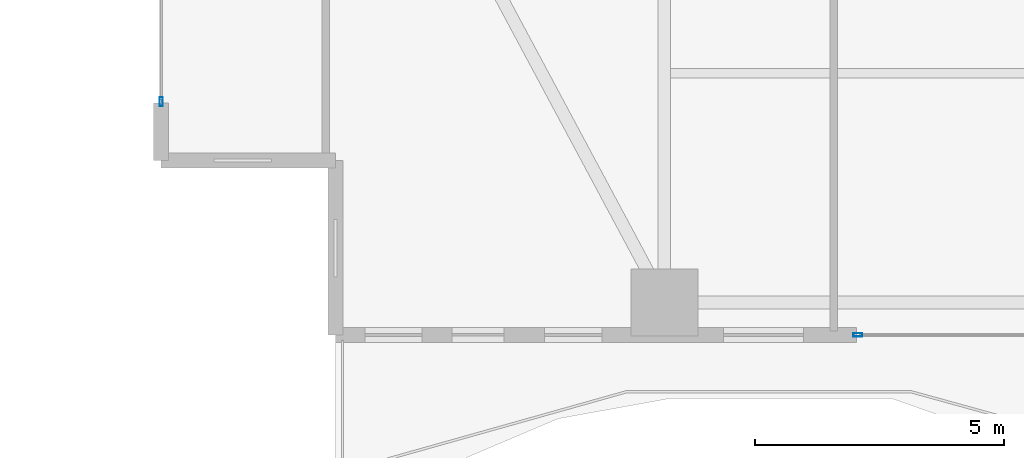
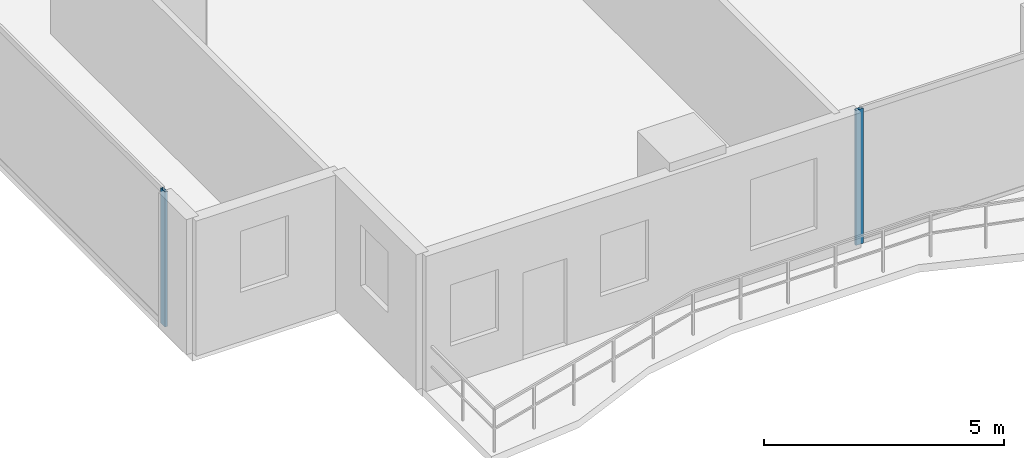
# One storey, part 2 of 30: 2 members, 2 elements without a shape of their own.
"""IFC4 building model written with IfcOpenShell, lengths in metres."""

from ifc_helpers import new_model, si_unit, direction, frame, origin, origin_2d, place, context, subcontext, project, spatial, hollow_rectangle, extrude, material, layer, layer_set, material_profile, profile_set, type_object, element, aggregate, save


model = new_model("IFC4")

# Units and contexts
model_context = context("Model", 3, precision=1e-05, world=origin(), true_north=direction((0.0, 1.0)))
body_context = subcontext(model_context, "Body", "Model", "MODEL_VIEW")
ifc_project = project(units=[si_unit("LENGTHUNIT", "METRE"), si_unit("AREAUNIT", "SQUARE_METRE"), si_unit("VOLUMEUNIT", "CUBIC_METRE"), si_unit("PLANEANGLEUNIT", "RADIAN"), si_unit("MASSUNIT", "GRAM", prefix="KILO")], contexts=[model_context])

# Site, building, storey
site_placement = place(None, origin())
site = spatial("IfcSite", under=ifc_project, at=site_placement, CompositionType="ELEMENT")
building_placement = place(site_placement, origin())
building = spatial("IfcBuilding", under=site, at=building_placement, Name="Zuhayl Quay Hotel", CompositionType="ELEMENT")
storey_placement = place(building_placement, frame((0.0, 0.0, 135.800048828125)))
storey = spatial("IfcBuildingStorey", under=building, at=storey_placement, Name="L34", CompositionType="ELEMENT", Elevation=135.800048828125)

# Curtain wall, member
ifc_material_1 = material(Name="Anodised Aluminium 6063-T6", Category="aluminium")
ifc_layer = layer(ifc_material_1, 0.179931640625, Name="Anodised Aluminium 6063-T6", Category="aluminium")
ifc_layer_set = layer_set([ifc_layer], Name="Anodised Aluminium 6063-T6")
curtain_wall_type = type_object("IfcCurtainWallType", Name="CW_SYS_Z2", PredefinedType="USERDEFINED", material=ifc_layer_set)
curtain_wall_1_placement = place(storey_placement, origin())
curtain_wall_1 = element("IfcCurtainWall", 1, at=curtain_wall_1_placement, inside=storey, type_object=curtain_wall_type, Name="L34 Curtain Wall ENV_L34_E02_CW1", ObjectType="UNITISED CURTAIN WALL", PredefinedType="USERDEFINED")
ifc_material_2 = material(Name="Black-anodised aluminium 6063-T6", Category="aluminium")
ifc_material_profile = material_profile(ifc_material_2, hollow_rectangle(XDim=0.06494140625, YDim=0.179931640625, WallThickness=0.00341796875, at=origin_2d()), Name="ALU180X65")
ifc_profile_set = profile_set([ifc_material_profile], Name="Black-anodised aluminium 6063-T6")
member_type = type_object("IfcMemberType", Name="MB_CW_MUL_180", PredefinedType="MULLION", material=ifc_profile_set)
member_1_placement = place(storey_placement, frame((-23.89990234375, -10.717529296875, 0.0), z_axis=(0.0, 0.0, 1.0), x_axis=(-1.0, 0.0, 0.0)))
member_1 = element("IfcMember", 2, at=member_1_placement, type_object=member_type, Name="CW-Z2 mullion 1", PredefinedType="MULLION", context=body_context, shape_type="SweptSolid", body=[
    extrude(hollow_rectangle(XDim=0.06494140625, YDim=0.179931640625, WallThickness=0.00341796875, at=origin_2d()), origin(), (0.0, 0.0, 1.0), 3.429931640625),
])
aggregate(curtain_wall_1, [member_1])

curtain_wall_2_placement = place(storey_placement, origin())
curtain_wall_2 = element("IfcCurtainWall", 3, at=curtain_wall_2_placement, inside=storey, type_object=curtain_wall_type, Name="L34 Curtain Wall ENV_L34_S_CW5", ObjectType="UNITISED CURTAIN WALL", PredefinedType="USERDEFINED")
member_2_placement = place(storey_placement, frame((-9.91748046875, -15.39990234375, 0.0), z_axis=(0.0, 0.0, 1.0), x_axis=(0.0, -1.0, 0.0)))
member_2 = element("IfcMember", 4, at=member_2_placement, type_object=member_type, Name="CW-Z2 mullion 2", PredefinedType="MULLION", context=body_context, shape_type="SweptSolid", body=[
    extrude(hollow_rectangle(XDim=0.06494140625, YDim=0.179931640625, WallThickness=0.00341796875, at=origin_2d()), origin(), (0.0, 0.0, 1.0), 3.429931640625),
])
aggregate(curtain_wall_2, [member_2])

save(model, "model.ifc")
